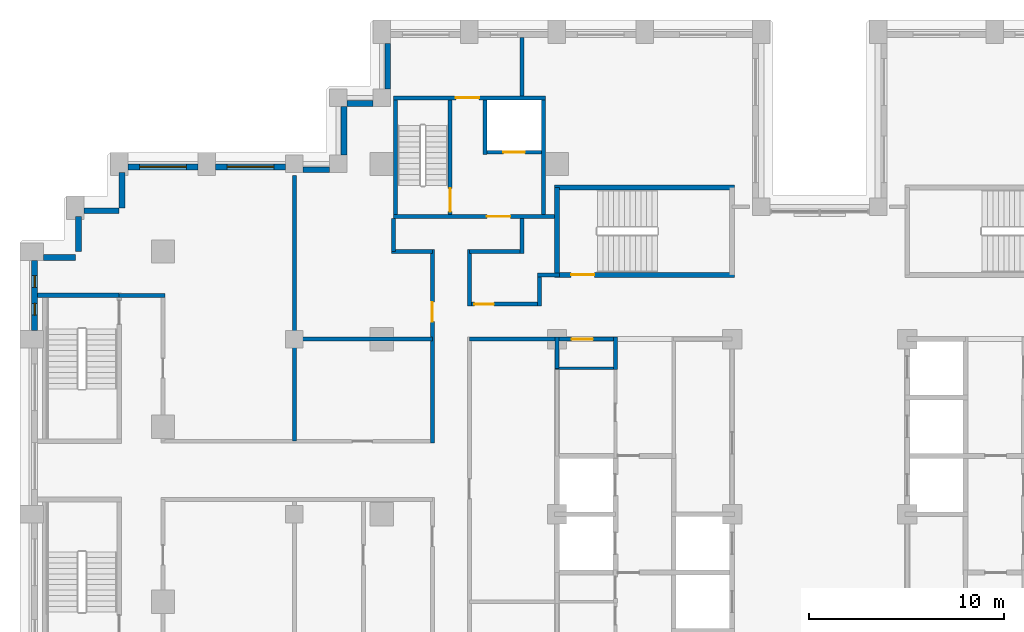
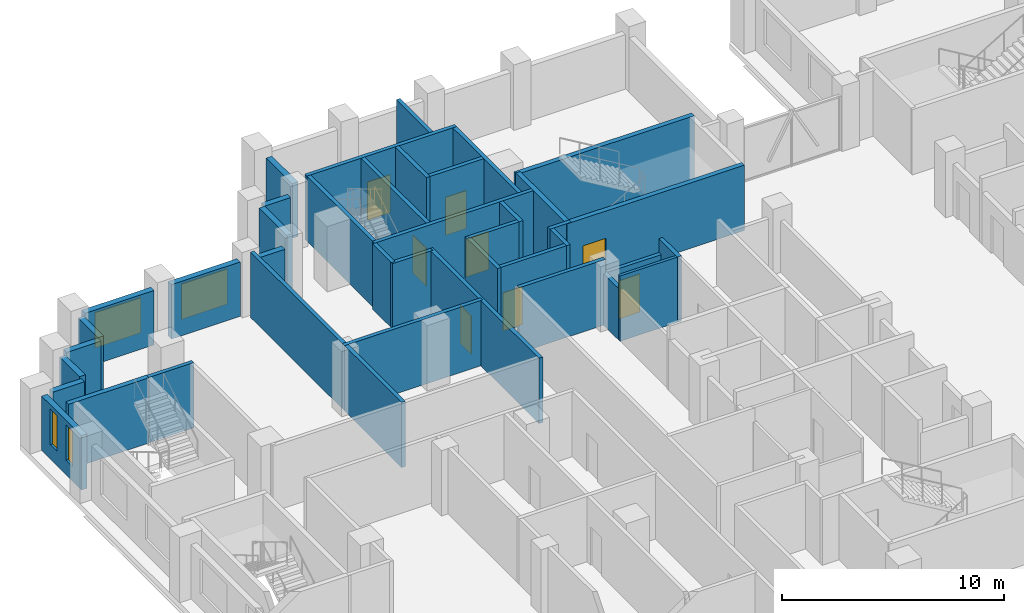
# One storey, part 10 of 16: 40 walls, 8 doors, 4 windows, 12 openings.
"""IFC4 building model written with IfcOpenShell, lengths in metres."""

from ifc_helpers import new_model, si_unit, direction, frame, frame_2d, origin, place, context, subcontext, project, spatial, rectangle, extrude, material, layer, layer_set, type_object, element, fill, save


model = new_model("IFC4")

# Units and contexts
model_context = context("Model", 3, precision=1e-05, world=origin(), true_north=direction((0.0, 1.0)))
body_context = subcontext(model_context, "Body", "Model", "MODEL_VIEW")
ifc_project = project(units=[si_unit("LENGTHUNIT", "METRE"), si_unit("AREAUNIT", "SQUARE_METRE"), si_unit("VOLUMEUNIT", "CUBIC_METRE"), si_unit("PLANEANGLEUNIT", "RADIAN"), si_unit("MASSUNIT", "GRAM", prefix="KILO")], contexts=[model_context])

# Site, building, storey
site_placement = place(None, origin())
site = spatial("IfcSite", under=ifc_project, at=site_placement, CompositionType="ELEMENT")
building_placement = place(site_placement, origin())
building = spatial("IfcBuilding", under=site, at=building_placement, Name="Corbelhall Arena Tower", CompositionType="ELEMENT")
storey_placement = place(building_placement, frame((0.0, 0.0, 116.0)))
storey = spatial("IfcBuildingStorey", under=building, at=storey_placement, Name="L21", CompositionType="ELEMENT", Elevation=116.0)

# Walls
ifc_material_1 = material(Name="Precast concrete C40/50 with granite facing", Category="masonry")
ifc_layer_1 = layer(ifc_material_1, 0.300048828125)
ifc_layer_set_1 = layer_set([ifc_layer_1], Name="EV-IW1 Infill panel 300")
wall_type_1 = type_object("IfcWallType", Name="EV-IW1 Infill panel 300", PredefinedType="SOLIDWALL", material=ifc_layer_set_1)
for number, where, z_axis, x_axis, name in (
    (1, (-35.85009765625, 17.550048828125, 0.0), (0.0, 0.0, 1.0), (0.0, -1.0, 0.0), "Infill panel IW1"),
    (2, (-37.800048828125, 15.60009765625, 0.0), (0.0, 0.0, 1.0), (1.0, 0.0, 0.0), "Infill panel IW1"),
    (3, (-38.10009765625, 15.300048828125, 0.0), (0.0, 0.0, 1.0), (0.0, -1.0, 0.0), "Infill panel IW1"),
):
    element("IfcWall", number, at=place(storey_placement, frame(where, z_axis=z_axis, x_axis=x_axis)), inside=storey, type_object=wall_type_1, Name=name, PredefinedType="SOLIDWALL", context=body_context, shape_type="SweptSolid", body=[
        extrude(rectangle(XDim=1.800048828125, YDim=0.300048828125, at=frame_2d((0.89990234375, 0.0))), origin(), (0.0, 0.0, 1.0), 2.99951171875),
    ])
wall_1_placement = place(storey_placement, frame((-39.89990234375, 13.199951171875, 0.0), z_axis=(0.0, 0.0, 1.0), x_axis=(1.0, 0.0, 0.0)))
element("IfcWall", 4, at=wall_1_placement, inside=storey, type_object=wall_type_1, Name="Infill panel IW1", PredefinedType="SOLIDWALL", context=body_context, shape_type="SweptSolid", body=[
    extrude(rectangle(XDim=1.64990234375, YDim=0.300048828125, at=frame_2d((0.824951171875, 0.0))), origin(), (0.0, 0.0, 1.0), 2.99951171875),
])
wall_2_placement = place(storey_placement, frame((-22.199951171875, 24.199951171875, 0.0), z_axis=(0.0, 0.0, 1.0), x_axis=(0.0, -1.0, 0.0)))
element("IfcWall", 5, at=wall_2_placement, inside=storey, type_object=wall_type_1, Name="Infill panel IW1", PredefinedType="SOLIDWALL", context=body_context, shape_type="SweptSolid", body=[
    extrude(rectangle(XDim=2.349853515625, YDim=0.300048828125, at=frame_2d((1.1748046875, 0.0))), origin(), (0.0, 0.0, 1.0), 2.99951171875),
])
wall_3_placement = place(storey_placement, frame((-22.949951171875, 21.10009765625, 0.0), z_axis=(0.0, 0.0, 1.0), x_axis=(-1.0, 0.0, 0.0)))
element("IfcWall", 6, at=wall_3_placement, inside=storey, type_object=wall_type_1, Name="Infill panel IW1", PredefinedType="SOLIDWALL", context=body_context, shape_type="SweptSolid", body=[
    extrude(rectangle(XDim=1.35009765625, YDim=0.300048828125, at=frame_2d((0.675048828125, 0.0))), origin(), (0.0, 0.0, 1.0), 2.99951171875),
])
wall_4_placement = place(storey_placement, frame((-24.449951171875, 20.949951171875, 0.0), z_axis=(0.0, 0.0, 1.0), x_axis=(0.0, -1.0, 0.0)))
element("IfcWall", 7, at=wall_4_placement, inside=storey, type_object=wall_type_1, Name="Infill panel IW1", PredefinedType="SOLIDWALL", context=body_context, shape_type="SweptSolid", body=[
    extrude(rectangle(XDim=2.5, YDim=0.300048828125, at=frame_2d((1.25, 0.0))), origin(), (0.0, 0.0, 1.0), 2.99951171875),
])
wall_5_placement = place(storey_placement, frame((-25.199951171875, 17.699951171875, 0.0), z_axis=(0.0, 0.0, 1.0), x_axis=(-1.0, 0.0, 0.0)))
element("IfcWall", 8, at=wall_5_placement, inside=storey, type_object=wall_type_1, Name="Infill panel IW1", PredefinedType="SOLIDWALL", context=body_context, shape_type="SweptSolid", body=[
    extrude(rectangle(XDim=1.35009765625, YDim=0.300048828125, at=frame_2d((0.675048828125, 0.0))), origin(), (0.0, 0.0, 1.0), 2.99951171875),
])

# Wall, opening, window
wall_6_placement = place(storey_placement, frame((-27.449951171875, 17.85009765625, 0.0), z_axis=(0.0, 0.0, 1.0), x_axis=(-1.0, 0.0, 0.0)))
wall_6 = element("IfcWall", 9, at=wall_6_placement, inside=storey, type_object=wall_type_1, Name="Infill panel IW1", PredefinedType="SOLIDWALL", context=body_context, shape_type="SweptSolid", body=[
    extrude(rectangle(XDim=3.60009765625, YDim=0.300048828125, at=frame_2d((1.800048828125, 0.0))), origin(), (0.0, 0.0, 1.0), 2.99951171875),
])
opening_1_placement = place(wall_6_placement, frame((0.60009765625, 0.0, 0.800048828125)))
opening_1 = element("IfcOpeningElement", 10, at=opening_1_placement, cuts=wall_6, Name="Opening WN1", PredefinedType="OPENING", context=body_context, shape_type="SweptSolid", body=[
    extrude(rectangle(XDim=2.39990234375, YDim=1.949951171875, at=frame_2d((1.199951171875, 0.97509765625))), frame((0.0, 0.14990234375, 0.0), z_axis=(0.0, -1.0, 0.0), x_axis=(1.0, 0.0, 0.0)), (0.0, 0.0, 1.0), 0.300048828125),
])
ifc_material_2 = material(Name="Aluminium black anodised", Category="aluminium")
window_type_1 = type_object("IfcWindowType", Name="EV-WN1 Office window", PartitioningType="SINGLE_PANEL", PredefinedType="WINDOW", material=ifc_material_2)
window_1_placement = place(opening_1_placement, origin())
window_1 = element("IfcWindow", 11, at=window_1_placement, inside=storey, type_object=window_type_1, Name="Window WN1", OverallHeight=1.949951171875, OverallWidth=2.39990234375, PartitioningType="SINGLE_PANEL", PredefinedType="WINDOW", context=body_context, shape_type="SweptSolid", body=[
    extrude(rectangle(XDim=2.39990234375, YDim=1.949951171875, at=frame_2d((1.199951171875, 0.97509765625))), frame((0.0, 0.030029296875, 0.0), z_axis=(0.0, -1.0, 0.0), x_axis=(1.0, 0.0, 0.0)), (0.0, 0.0, 1.0), 0.06005859375),
])
fill(opening_1, window_1)

wall_7_placement = place(storey_placement, frame((-31.949951171875, 17.85009765625, 0.0), z_axis=(0.0, 0.0, 1.0), x_axis=(-1.0, 0.0, 0.0)))
wall_7 = element("IfcWall", 12, at=wall_7_placement, inside=storey, type_object=wall_type_1, Name="Infill panel IW1", PredefinedType="SOLIDWALL", context=body_context, shape_type="SweptSolid", body=[
    extrude(rectangle(XDim=3.60009765625, YDim=0.300048828125, at=frame_2d((1.800048828125, 0.0))), origin(), (0.0, 0.0, 1.0), 2.99951171875),
])
opening_2_placement = place(wall_7_placement, frame((0.60009765625, 0.0, 0.800048828125)))
opening_2 = element("IfcOpeningElement", 13, at=opening_2_placement, cuts=wall_7, Name="Opening WN1", PredefinedType="OPENING", context=body_context, shape_type="SweptSolid", body=[
    extrude(rectangle(XDim=2.39990234375, YDim=1.949951171875, at=frame_2d((1.199951171875, 0.97509765625))), frame((0.0, 0.14990234375, 0.0), z_axis=(0.0, -1.0, 0.0), x_axis=(1.0, 0.0, 0.0)), (0.0, 0.0, 1.0), 0.300048828125),
])
window_2_placement = place(opening_2_placement, origin())
window_2 = element("IfcWindow", 14, at=window_2_placement, inside=storey, type_object=window_type_1, Name="Window WN1", OverallHeight=1.949951171875, OverallWidth=2.39990234375, PartitioningType="SINGLE_PANEL", PredefinedType="WINDOW", context=body_context, shape_type="SweptSolid", body=[
    extrude(rectangle(XDim=2.39990234375, YDim=1.949951171875, at=frame_2d((1.199951171875, 0.97509765625))), frame((0.0, 0.030029296875, 0.0), z_axis=(0.0, -1.0, 0.0), x_axis=(1.0, 0.0, 0.0)), (0.0, 0.0, 1.0), 0.06005859375),
])
fill(opening_2, window_2)

# Wall, openings, windows
wall_8_placement = place(storey_placement, frame((-40.35009765625, 13.050048828125, 0.0), z_axis=(0.0, 0.0, 1.0), x_axis=(0.0, -1.0, 0.0)))
wall_8 = element("IfcWall", 15, at=wall_8_placement, inside=storey, type_object=wall_type_1, Name="Infill panel IW1", PredefinedType="SOLIDWALL", context=body_context, shape_type="SweptSolid", body=[
    extrude(rectangle(XDim=3.60009765625, YDim=0.300048828125, at=frame_2d((1.800048828125, 0.0))), origin(), (0.0, 0.0, 1.0), 2.99951171875),
])
opening_3_placement = place(wall_8_placement, frame((0.78759765625, 0.0, 0.800048828125)))
opening_3 = element("IfcOpeningElement", 16, at=opening_3_placement, cuts=wall_8, Name="Opening WN5", PredefinedType="OPENING", context=body_context, shape_type="SweptSolid", body=[
    extrude(rectangle(XDim=0.60009765625, YDim=1.949951171875, at=frame_2d((0.300048828125, 0.97509765625))), frame((0.0, 0.14990234375, 0.0), z_axis=(0.0, -1.0, 0.0), x_axis=(1.0, 0.0, 0.0)), (0.0, 0.0, 1.0), 0.300048828125),
])
opening_4_placement = place(wall_8_placement, frame((2.21240234375, 0.0, 0.800048828125)))
opening_4 = element("IfcOpeningElement", 17, at=opening_4_placement, cuts=wall_8, Name="Opening WN5", PredefinedType="OPENING", context=body_context, shape_type="SweptSolid", body=[
    extrude(rectangle(XDim=0.60009765625, YDim=1.949951171875, at=frame_2d((0.300048828125, 0.97509765625))), frame((0.0, 0.14990234375, 0.0), z_axis=(0.0, -1.0, 0.0), x_axis=(1.0, 0.0, 0.0)), (0.0, 0.0, 1.0), 0.300048828125),
])
window_type_2 = type_object("IfcWindowType", Name="EV-WN5 Office window 600", PartitioningType="SINGLE_PANEL", PredefinedType="WINDOW", material=ifc_material_2)
window_3_placement = place(opening_3_placement, origin())
window_3 = element("IfcWindow", 18, at=window_3_placement, inside=storey, type_object=window_type_2, Name="Window WN5", OverallHeight=1.949951171875, OverallWidth=0.60009765625, PartitioningType="SINGLE_PANEL", PredefinedType="WINDOW", context=body_context, shape_type="SweptSolid", body=[
    extrude(rectangle(XDim=0.60009765625, YDim=1.949951171875, at=frame_2d((0.300048828125, 0.97509765625))), frame((0.0, 0.030029296875, 0.0), z_axis=(0.0, -1.0, 0.0), x_axis=(1.0, 0.0, 0.0)), (0.0, 0.0, 1.0), 0.06005859375),
])
fill(opening_3, window_3)
window_4_placement = place(opening_4_placement, origin())
window_4 = element("IfcWindow", 19, at=window_4_placement, inside=storey, type_object=window_type_2, Name="Window WN5", OverallHeight=1.949951171875, OverallWidth=0.60009765625, PartitioningType="SINGLE_PANEL", PredefinedType="WINDOW", context=body_context, shape_type="SweptSolid", body=[
    extrude(rectangle(XDim=0.60009765625, YDim=1.949951171875, at=frame_2d((0.300048828125, 0.97509765625))), frame((0.0, 0.030029296875, 0.0), z_axis=(0.0, -1.0, 0.0), x_axis=(1.0, 0.0, 0.0)), (0.0, 0.0, 1.0), 0.06005859375),
])
fill(opening_4, window_4)

# Walls
ifc_material_3 = material(Name="Gypsum board on steel stud, acoustic", Category="steel")
ifc_layer_2 = layer(ifc_material_3, 0.199951171875)
ifc_layer_set_2 = layer_set([ifc_layer_2], Name="IN-W-DM200")
wall_type_2 = type_object("IfcWallType", Name="IN-W-DM200", PredefinedType="PARTITIONING", material=ifc_layer_set_2)
wall_9_placement = place(storey_placement, frame((-36.0, 11.25, 0.0), z_axis=(0.0, 0.0, 1.0), x_axis=(1.0, 0.0, 0.0)))
element("IfcWall", 20, at=wall_9_placement, inside=storey, type_object=wall_type_2, Name="Partition 001", PredefinedType="PARTITIONING", context=body_context, shape_type="SweptSolid", body=[
    extrude(rectangle(XDim=2.35009765625, YDim=0.199951171875, at=frame_2d((1.175048828125, 0.0))), origin(), (0.0, 0.0, 1.0), 3.599609375),
])
wall_10_placement = place(storey_placement, frame((-27.10009765625, 9.0, 0.0), z_axis=(0.0, 0.0, 1.0), x_axis=(1.0, 0.0, 0.0)))
element("IfcWall", 21, at=wall_10_placement, inside=storey, type_object=wall_type_2, Name="Partition 008", PredefinedType="PARTITIONING", context=body_context, shape_type="SweptSolid", body=[
    extrude(rectangle(XDim=7.2001953125, YDim=0.199951171875, at=frame_2d((3.60009765625, 0.0))), origin(), (0.0, 0.0, 1.0), 3.599609375),
])
wall_11_placement = place(storey_placement, frame((-27.0, 3.75, 0.0), z_axis=(0.0, 0.0, 1.0), x_axis=(0.0, 1.0, 0.0)))
element("IfcWall", 22, at=wall_11_placement, inside=storey, type_object=wall_type_2, Name="Partition 010", PredefinedType="PARTITIONING", context=body_context, shape_type="SweptSolid", body=[
    extrude(rectangle(XDim=13.64990234375, YDim=0.199951171875, at=frame_2d((6.824951171875, 0.0))), origin(), (0.0, 0.0, 1.0), 3.599609375),
])
wall_12_placement = place(storey_placement, frame((-21.89990234375, 13.5, 0.0), z_axis=(0.0, 0.0, 1.0), x_axis=(0.0, 1.0, 0.0)))
element("IfcWall", 23, at=wall_12_placement, inside=storey, type_object=wall_type_2, Name="Partition 013", PredefinedType="PARTITIONING", context=body_context, shape_type="SweptSolid", body=[
    extrude(rectangle(XDim=1.699951171875, YDim=0.199951171875, at=frame_2d((0.85009765625, 0.0))), origin(), (0.0, 0.0, 1.0), 3.599609375),
])

# Wall, opening, door
wall_13_placement = place(storey_placement, frame((-19.89990234375, 3.64990234375, 0.0), z_axis=(0.0, 0.0, 1.0), x_axis=(0.0, 1.0, 0.0)))
wall_13 = element("IfcWall", 24, at=wall_13_placement, inside=storey, type_object=wall_type_2, Name="Partition 015", PredefinedType="PARTITIONING", context=body_context, shape_type="SweptSolid", body=[
    extrude(rectangle(XDim=9.9501953125, YDim=0.199951171875, at=frame_2d((4.97509765625, 0.0))), origin(), (0.0, 0.0, 1.0), 3.599609375),
])
opening_5_placement = place(wall_13_placement, frame((6.25, 0.0, 0.0)))
opening_5 = element("IfcOpeningElement", 25, at=opening_5_placement, cuts=wall_13, Name="Opening 05032", PredefinedType="OPENING", context=body_context, shape_type="SweptSolid", body=[
    extrude(rectangle(XDim=1.0, YDim=2.10009765625, at=frame_2d((0.5, 1.050048828125))), frame((0.0, 0.10009765625, 0.0), z_axis=(0.0, -1.0, 0.0), x_axis=(1.0, 0.0, 0.0)), (0.0, 0.0, 1.0), 0.199951171875),
])
ifc_material_4 = material(Name="Steel door set", Category="steel")
door_type_1 = type_object("IfcDoorType", Name="IN-D-SW100", OperationType="NOTDEFINED", PredefinedType="DOOR", material=ifc_material_4)
door_1_placement = place(opening_5_placement, origin())
door_1 = element("IfcDoor", 26, at=door_1_placement, inside=storey, type_object=door_type_1, Name="Door 032", OperationType="SINGLE_SWING_LEFT", OverallHeight=2.10009765625, OverallWidth=1.0, PredefinedType="DOOR", context=body_context, shape_type="SweptSolid", body=[
    extrude(rectangle(XDim=1.0, YDim=2.10009765625, at=frame_2d((0.5, 1.050048828125))), frame((0.0, 0.02490234375, 0.0), z_axis=(0.0, -1.0, 0.0), x_axis=(1.0, 0.0, 0.0)), (0.0, 0.0, 1.0), 0.050048828125),
])
fill(opening_5, door_1)

# Wall
wall_14_placement = place(storey_placement, frame((-19.89990234375, 13.5, 0.0), z_axis=(0.0, 0.0, 1.0), x_axis=(-1.0, 0.0, 0.0)))
element("IfcWall", 27, at=wall_14_placement, inside=storey, type_object=wall_type_2, Name="Partition 016", PredefinedType="PARTITIONING", context=body_context, shape_type="SweptSolid", body=[
    extrude(rectangle(XDim=2.10009765625, YDim=0.199951171875, at=frame_2d((1.050048828125, 0.0))), origin(), (0.0, 0.0, 1.0), 3.599609375),
])

# Wall, opening, door
wall_15_placement = place(storey_placement, frame((-18.0, 10.800048828125, 0.0), z_axis=(0.0, 0.0, 1.0), x_axis=(1.0, 0.0, 0.0)))
wall_15 = element("IfcWall", 28, at=wall_15_placement, inside=storey, type_object=wall_type_2, Name="Partition 021", PredefinedType="PARTITIONING", context=body_context, shape_type="SweptSolid", body=[
    extrude(rectangle(XDim=3.60009765625, YDim=0.199951171875, at=frame_2d((1.800048828125, 0.0))), origin(), (0.0, 0.0, 1.0), 3.599609375),
])
opening_6_placement = place(wall_15_placement, frame((0.25, 0.0, 0.0)))
opening_6 = element("IfcOpeningElement", 29, at=opening_6_placement, cuts=wall_15, Name="Opening 05027", PredefinedType="OPENING", context=body_context, shape_type="SweptSolid", body=[
    extrude(rectangle(XDim=1.0, YDim=2.10009765625, at=frame_2d((0.5, 1.050048828125))), frame((0.0, 0.10009765625, 0.0), z_axis=(0.0, -1.0, 0.0), x_axis=(1.0, 0.0, 0.0)), (0.0, 0.0, 1.0), 0.199951171875),
])
door_2_placement = place(opening_6_placement, origin())
door_2 = element("IfcDoor", 30, at=door_2_placement, inside=storey, type_object=door_type_1, Name="Door 027", OperationType="SINGLE_SWING_RIGHT", OverallHeight=2.10009765625, OverallWidth=1.0, PredefinedType="DOOR", context=body_context, shape_type="SweptSolid", body=[
    extrude(rectangle(XDim=1.0, YDim=2.10009765625, at=frame_2d((0.5, 1.050048828125))), frame((0.0, 0.02490234375, 0.0), z_axis=(0.0, -1.0, 0.0), x_axis=(1.0, 0.0, 0.0)), (0.0, 0.0, 1.0), 0.050048828125),
])
fill(opening_6, door_2)

# Walls
wall_16_placement = place(storey_placement, frame((-18.0, 13.60009765625, 0.0), z_axis=(0.0, 0.0, 1.0), x_axis=(0.0, -1.0, 0.0)))
element("IfcWall", 31, at=wall_16_placement, inside=storey, type_object=wall_type_2, Name="Partition 022", PredefinedType="PARTITIONING", context=body_context, shape_type="SweptSolid", body=[
    extrude(rectangle(XDim=2.900146484375, YDim=0.199951171875, at=frame_2d((1.4501953125, 0.0))), origin(), (0.0, 0.0, 1.0), 3.599609375),
])
wall_17_placement = place(storey_placement, frame((-15.300048828125, 13.5, 0.0), z_axis=(0.0, 0.0, 1.0), x_axis=(-1.0, 0.0, 0.0)))
element("IfcWall", 32, at=wall_17_placement, inside=storey, type_object=wall_type_2, Name="Partition 023", PredefinedType="PARTITIONING", context=body_context, shape_type="SweptSolid", body=[
    extrude(rectangle(XDim=2.699951171875, YDim=0.199951171875, at=frame_2d((1.35009765625, 0.0))), origin(), (0.0, 0.0, 1.0), 3.599609375),
])
wall_18_placement = place(storey_placement, frame((-15.300048828125, 15.199951171875, 0.0), z_axis=(0.0, 0.0, 1.0), x_axis=(0.0, -1.0, 0.0)))
element("IfcWall", 33, at=wall_18_placement, inside=storey, type_object=wall_type_2, Name="Partition 024", PredefinedType="PARTITIONING", context=body_context, shape_type="SweptSolid", body=[
    extrude(rectangle(XDim=1.800048828125, YDim=0.199951171875, at=frame_2d((0.89990234375, 0.0))), origin(), (0.0, 0.0, 1.0), 3.599609375),
])
wall_19_placement = place(storey_placement, frame((-15.300048828125, 24.5, 0.0), z_axis=(0.0, 0.0, 1.0), x_axis=(0.0, -1.0, 0.0)))
element("IfcWall", 34, at=wall_19_placement, inside=storey, type_object=wall_type_2, Name="Partition 025", PredefinedType="PARTITIONING", context=body_context, shape_type="SweptSolid", body=[
    extrude(rectangle(XDim=3.0, YDim=0.199951171875, at=frame_2d((1.5, 0.0))), origin(), (0.0, 0.0, 1.0), 3.599609375),
])
wall_20_placement = place(storey_placement, frame((-14.5, 12.300048828125, 0.0), z_axis=(0.0, 0.0, 1.0), x_axis=(1.0, 0.0, 0.0)))
element("IfcWall", 35, at=wall_20_placement, inside=storey, type_object=wall_type_2, Name="Partition 026", PredefinedType="PARTITIONING", context=body_context, shape_type="SweptSolid", body=[
    extrude(rectangle(XDim=1.125, YDim=0.199951171875, at=frame_2d((0.5625, 0.0))), origin(), (0.0, 0.0, 1.0), 3.599609375),
])
wall_21_placement = place(storey_placement, frame((-13.5, 9.0, 0.0), z_axis=(0.0, 0.0, 1.0), x_axis=(-1.0, 0.0, 0.0)))
element("IfcWall", 36, at=wall_21_placement, inside=storey, type_object=wall_type_2, Name="Partition 029", PredefinedType="PARTITIONING", context=body_context, shape_type="SweptSolid", body=[
    extrude(rectangle(XDim=4.5, YDim=0.199951171875, at=frame_2d((2.25, 0.0))), origin(), (0.0, 0.0, 1.0), 3.599609375),
])
wall_22_placement = place(storey_placement, frame((-14.39990234375, 10.699951171875, 0.0), z_axis=(0.0, 0.0, 1.0), x_axis=(0.0, 1.0, 0.0)))
element("IfcWall", 37, at=wall_22_placement, inside=storey, type_object=wall_type_2, Name="Partition 030", PredefinedType="PARTITIONING", context=body_context, shape_type="SweptSolid", body=[
    extrude(rectangle(XDim=1.60009765625, YDim=0.199951171875, at=frame_2d((0.800048828125, 0.0))), origin(), (0.0, 0.0, 1.0), 3.599609375),
])

# Wall, opening, door
ifc_material_5 = material(Name="Concrete C40/50", Category="concrete")
ifc_layer_3 = layer(ifc_material_5, 0.199951171875)
ifc_layer_set_3 = layer_set([ifc_layer_3], Name="IN-W-EAR200")
wall_type_3 = type_object("IfcWallType", Name="IN-W-EAR200", PredefinedType="SOLIDWALL", material=ifc_layer_set_3)
wall_23_placement = place(storey_placement, frame((-21.89990234375, 15.300048828125, 0.0), z_axis=(0.0, 0.0, 1.0), x_axis=(1.0, 0.0, 0.0)))
wall_23 = element("IfcWall", 38, at=wall_23_placement, inside=storey, type_object=wall_type_3, Name="Fire service turret wall south", PredefinedType="SOLIDWALL", context=body_context, shape_type="SweptSolid", body=[
    extrude(rectangle(XDim=8.27490234375, YDim=0.199951171875, at=frame_2d((4.137451171875, 0.0))), origin(), (0.0, 0.0, 1.0), 3.599609375),
])
opening_7_placement = place(wall_23_placement, frame((4.800048828125, 0.0, 0.0)))
opening_7 = element("IfcOpeningElement", 39, at=opening_7_placement, cuts=wall_23, Name="Opening E052", PredefinedType="OPENING", context=body_context, shape_type="SweptSolid", body=[
    extrude(rectangle(XDim=1.199951171875, YDim=2.10009765625, at=frame_2d((0.60009765625, 1.050048828125))), frame((0.0, 0.10009765625, 0.0), z_axis=(0.0, -1.0, 0.0), x_axis=(1.0, 0.0, 0.0)), (0.0, 0.0, 1.0), 0.199951171875),
])
door_type_2 = type_object("IfcDoorType", Name="IN-D-ST120", OperationType="NOTDEFINED", PredefinedType="DOOR", material=ifc_material_4)
door_3_placement = place(opening_7_placement, origin())
door_3 = element("IfcDoor", 40, at=door_3_placement, inside=storey, type_object=door_type_2, Name="Door from fire service lift lobby to circulation", OperationType="SINGLE_SWING_RIGHT", OverallHeight=2.10009765625, OverallWidth=1.199951171875, PredefinedType="DOOR", context=body_context, shape_type="SweptSolid", body=[
    extrude(rectangle(XDim=1.199951171875, YDim=2.10009765625, at=frame_2d((0.60009765625, 1.050048828125))), frame((0.0, 0.02490234375, 0.0), z_axis=(0.0, -1.0, 0.0), x_axis=(1.0, 0.0, 0.0)), (0.0, 0.0, 1.0), 0.050048828125),
])
fill(opening_7, door_3)

wall_24_placement = place(storey_placement, frame((-21.89990234375, 21.39990234375, 0.0), z_axis=(0.0, 0.0, 1.0), x_axis=(1.0, 0.0, 0.0)))
wall_24 = element("IfcWall", 41, at=wall_24_placement, inside=storey, type_object=wall_type_3, Name="Fire service turret wall north", PredefinedType="SOLIDWALL", context=body_context, shape_type="SweptSolid", body=[
    extrude(rectangle(XDim=7.7998046875, YDim=0.199951171875, at=frame_2d((3.89990234375, 0.0))), origin(), (0.0, 0.0, 1.0), 3.599609375),
])
opening_8_placement = place(wall_24_placement, frame((3.199951171875, 0.0, 0.0)))
opening_8 = element("IfcOpeningElement", 42, at=opening_8_placement, cuts=wall_24, Name="Opening E053", PredefinedType="OPENING", context=body_context, shape_type="SweptSolid", body=[
    extrude(rectangle(XDim=1.199951171875, YDim=2.10009765625, at=frame_2d((0.60009765625, 1.050048828125))), frame((0.0, 0.10009765625, 0.0), z_axis=(0.0, -1.0, 0.0), x_axis=(1.0, 0.0, 0.0)), (0.0, 0.0, 1.0), 0.199951171875),
])
door_4_placement = place(opening_8_placement, origin())
door_4 = element("IfcDoor", 43, at=door_4_placement, inside=storey, type_object=door_type_2, Name="Door from fire service lift lobby to the north gallery", OperationType="SINGLE_SWING_LEFT", OverallHeight=2.10009765625, OverallWidth=1.199951171875, PredefinedType="DOOR", context=body_context, shape_type="SweptSolid", body=[
    extrude(rectangle(XDim=1.199951171875, YDim=2.10009765625, at=frame_2d((0.60009765625, 1.050048828125))), frame((0.0, 0.02490234375, 0.0), z_axis=(0.0, -1.0, 0.0), x_axis=(1.0, 0.0, 0.0)), (0.0, 0.0, 1.0), 0.050048828125),
])
fill(opening_8, door_4)

# Walls
for number, where, z_axis, x_axis, name in (
    (44, (-21.800048828125, 15.39990234375, 0.0), (0.0, 0.0, 1.0), (0.0, 1.0, 0.0), "Fire service turret wall west"),
    (45, (-14.199951171875, 15.39990234375, 0.0), (0.0, 0.0, 1.0), (0.0, 1.0, 0.0), "Fire service turret wall east"),
):
    element("IfcWall", number, at=place(storey_placement, frame(where, z_axis=z_axis, x_axis=x_axis)), inside=storey, type_object=wall_type_3, Name=name, PredefinedType="SOLIDWALL", context=body_context, shape_type="SweptSolid", body=[
        extrude(rectangle(XDim=5.900146484375, YDim=0.199951171875, at=frame_2d((2.9501953125, 0.0))), origin(), (0.0, 0.0, 1.0), 3.599609375),
    ])

# Wall, opening, door
wall_25_placement = place(storey_placement, frame((-18.989990234375, 15.39990234375, 0.0), z_axis=(0.0, 0.0, 1.0), x_axis=(0.0, 1.0, 0.0)))
wall_25 = element("IfcWall", 46, at=wall_25_placement, inside=storey, type_object=wall_type_3, Name="Fire service turret wall stair", PredefinedType="SOLIDWALL", context=body_context, shape_type="SweptSolid", body=[
    extrude(rectangle(XDim=5.900146484375, YDim=0.199951171875, at=frame_2d((2.9501953125, 0.0))), origin(), (0.0, 0.0, 1.0), 3.599609375),
])
opening_9_placement = place(wall_25_placement, frame((0.14990234375, 0.0, 0.0)))
opening_9 = element("IfcOpeningElement", 47, at=opening_9_placement, cuts=wall_25, Name="Opening E051", PredefinedType="OPENING", context=body_context, shape_type="SweptSolid", body=[
    extrude(rectangle(XDim=1.199951171875, YDim=2.10009765625, at=frame_2d((0.60009765625, 1.050048828125))), frame((0.0, 0.10009765625, 0.0), z_axis=(0.0, -1.0, 0.0), x_axis=(1.0, 0.0, 0.0)), (0.0, 0.0, 1.0), 0.199951171875),
])
door_5_placement = place(opening_9_placement, origin())
door_5 = element("IfcDoor", 48, at=door_5_placement, inside=storey, type_object=door_type_2, Name="Stair door to fire service lobby", OperationType="SINGLE_SWING_LEFT", OverallHeight=2.10009765625, OverallWidth=1.199951171875, PredefinedType="DOOR", context=body_context, shape_type="SweptSolid", body=[
    extrude(rectangle(XDim=1.199951171875, YDim=2.10009765625, at=frame_2d((0.60009765625, 1.050048828125))), frame((0.0, 0.02490234375, 0.0), z_axis=(0.0, -1.0, 0.0), x_axis=(1.0, 0.0, 0.0)), (0.0, 0.0, 1.0), 0.050048828125),
])
fill(opening_9, door_5)

# Wall
wall_26_placement = place(storey_placement, frame((-17.199951171875, 18.5, 0.0), z_axis=(0.0, 0.0, 1.0), x_axis=(0.0, 1.0, 0.0)))
element("IfcWall", 49, at=wall_26_placement, inside=storey, type_object=wall_type_3, Name="Fire service turret wall hoistway west", PredefinedType="SOLIDWALL", context=body_context, shape_type="SweptSolid", body=[
    extrude(rectangle(XDim=2.800048828125, YDim=0.199951171875, at=frame_2d((1.39990234375, 0.0))), origin(), (0.0, 0.0, 1.0), 3.599609375),
])

# Wall, opening, door
wall_27_placement = place(storey_placement, frame((-17.10009765625, 18.60009765625, 0.0), z_axis=(0.0, 0.0, 1.0), x_axis=(1.0, 0.0, 0.0)))
wall_27 = element("IfcWall", 50, at=wall_27_placement, inside=storey, type_object=wall_type_3, Name="Fire service turret wall hoistway south", PredefinedType="SOLIDWALL", context=body_context, shape_type="SweptSolid", body=[
    extrude(rectangle(XDim=2.800048828125, YDim=0.199951171875, at=frame_2d((1.39990234375, 0.0))), origin(), (0.0, 0.0, 1.0), 3.599609375),
])
opening_10_placement = place(wall_27_placement, frame((0.85009765625, 0.0, 0.0)))
opening_10 = element("IfcOpeningElement", 51, at=opening_10_placement, cuts=wall_27, Name="Opening LD", PredefinedType="OPENING", context=body_context, shape_type="SweptSolid", body=[
    extrude(rectangle(XDim=1.10009765625, YDim=2.10009765625, at=frame_2d((0.550048828125, 1.050048828125))), frame((0.0, 0.10009765625, 0.0), z_axis=(0.0, -1.0, 0.0), x_axis=(1.0, 0.0, 0.0)), (0.0, 0.0, 1.0), 0.199951171875),
])
door_type_3 = type_object("IfcDoorType", Name="IN-D-LD110", OperationType="NOTDEFINED", PredefinedType="DOOR", material=ifc_material_4)
door_6_placement = place(opening_10_placement, origin())
door_6 = element("IfcDoor", 52, at=door_6_placement, inside=storey, type_object=door_type_3, Name="Landing door FS1", OperationType="SLIDING_TO_LEFT", OverallHeight=2.10009765625, OverallWidth=1.10009765625, PredefinedType="DOOR", context=body_context, shape_type="SweptSolid", body=[
    extrude(rectangle(XDim=1.10009765625, YDim=2.10009765625, at=frame_2d((0.550048828125, 1.050048828125))), frame((0.0, 0.02490234375, 0.0), z_axis=(0.0, -1.0, 0.0), x_axis=(1.0, 0.0, 0.0)), (0.0, 0.0, 1.0), 0.050048828125),
])
fill(opening_10, door_6)

# Wall
ifc_material_6 = material(Name="Concrete block wall", Category="concrete")
ifc_layer_4 = layer(ifc_material_6, 0.199951171875)
ifc_layer_set_4 = layer_set([ifc_layer_4], Name="IN-W-RS200")
wall_type_4 = type_object("IfcWallType", Name="IN-W-RS200", PredefinedType="SOLIDWALL", material=ifc_layer_set_4)
wall_28_placement = place(storey_placement, frame((-10.5, 7.425048828125, 0.0), z_axis=(0.0, 0.0, 1.0), x_axis=(0.0, 1.0, 0.0)))
element("IfcWall", 53, at=wall_28_placement, inside=storey, type_object=wall_type_4, Name="Partition 068", PredefinedType="SOLIDWALL", context=body_context, shape_type="SweptSolid", body=[
    extrude(rectangle(XDim=1.675048828125, YDim=0.199951171875, at=frame_2d((0.83740234375, 0.0))), origin(), (0.0, 0.0, 1.0), 3.599609375),
])

# Wall, opening, door
ifc_layer_5 = layer(ifc_material_6, 0.199951171875)
ifc_layer_set_5 = layer_set([ifc_layer_5], Name="IN-W-RS200 under beam 762 mm")
wall_type_5 = type_object("IfcWallType", Name="IN-W-RS200 under beam 762 mm", PredefinedType="SOLIDWALL", material=ifc_layer_set_5)
wall_29_placement = place(storey_placement, frame((-13.60009765625, 9.0, 0.0), z_axis=(0.0, 0.0, 1.0), x_axis=(1.0, 0.0, 0.0)))
wall_29 = element("IfcWall", 54, at=wall_29_placement, inside=storey, type_object=wall_type_5, Name="Partition 064", PredefinedType="SOLIDWALL", context=body_context, shape_type="SweptSolid", body=[
    extrude(rectangle(XDim=3.10009765625, YDim=0.199951171875, at=frame_2d((1.550048828125, 0.0))), origin(), (0.0, 0.0, 1.0), 2.837646484375),
])
opening_11_placement = place(wall_29_placement, frame((0.85009765625, 0.0, 0.0)))
opening_11 = element("IfcOpeningElement", 55, at=opening_11_placement, cuts=wall_29, Name="Opening 05007", PredefinedType="OPENING", context=body_context, shape_type="SweptSolid", body=[
    extrude(rectangle(XDim=1.10009765625, YDim=2.10009765625, at=frame_2d((0.550048828125, 1.050048828125))), frame((0.0, 0.10009765625, 0.0), z_axis=(0.0, -1.0, 0.0), x_axis=(1.0, 0.0, 0.0)), (0.0, 0.0, 1.0), 0.199951171875),
])
door_type_4 = type_object("IfcDoorType", Name="IN-D-FD110", OperationType="NOTDEFINED", PredefinedType="DOOR", material=ifc_material_4)
door_7_placement = place(opening_11_placement, origin())
door_7 = element("IfcDoor", 56, at=door_7_placement, inside=storey, type_object=door_type_4, Name="Door 007", OperationType="SINGLE_SWING_RIGHT", OverallHeight=2.10009765625, OverallWidth=1.10009765625, PredefinedType="DOOR", context=body_context, shape_type="SweptSolid", body=[
    extrude(rectangle(XDim=1.10009765625, YDim=2.10009765625, at=frame_2d((0.550048828125, 1.050048828125))), frame((0.0, 0.02490234375, 0.0), z_axis=(0.0, -1.0, 0.0), x_axis=(1.0, 0.0, 0.0)), (0.0, 0.0, 1.0), 0.050048828125),
])
fill(opening_11, door_7)

# Walls
wall_30_placement = place(storey_placement, frame((-13.5, 7.5, 0.0), z_axis=(0.0, 0.0, 1.0), x_axis=(0.0, 1.0, 0.0)))
element("IfcWall", 57, at=wall_30_placement, inside=storey, type_object=wall_type_5, Name="Partition 066", PredefinedType="SOLIDWALL", context=body_context, shape_type="SweptSolid", body=[
    extrude(rectangle(XDim=1.60009765625, YDim=0.199951171875, at=frame_2d((0.800048828125, 0.0))), origin(), (0.0, 0.0, 1.0), 2.837646484375),
])
ifc_layer_6 = layer(ifc_material_5, 0.25)
ifc_layer_set_6 = layer_set([ifc_layer_6], Name="IN-W-ST250")
wall_type_6 = type_object("IfcWallType", Name="IN-W-ST250", PredefinedType="SOLIDWALL", material=ifc_layer_set_6)
wall_31_placement = place(storey_placement, frame((-40.199951171875, 11.25, 0.0), z_axis=(0.0, 0.0, 1.0), x_axis=(1.0, 0.0, 0.0)))
element("IfcWall", 58, at=wall_31_placement, inside=storey, type_object=wall_type_6, Name="Shaft wall 102", PredefinedType="SOLIDWALL", context=body_context, shape_type="SweptSolid", body=[
    extrude(rectangle(XDim=4.199951171875, YDim=0.25, at=frame_2d((2.10009765625, 0.0))), origin(), (0.0, 0.0, 1.0), 3.599609375),
])

# Wall, opening, door
wall_32_placement = place(storey_placement, frame((-13.625, 12.300048828125, 0.0), z_axis=(0.0, 0.0, 1.0), x_axis=(1.0, 0.0, 0.0)))
wall_32 = element("IfcWall", 59, at=wall_32_placement, inside=storey, type_object=wall_type_6, Name="Shaft wall 107", PredefinedType="SOLIDWALL", context=body_context, shape_type="SweptSolid", body=[
    extrude(rectangle(XDim=9.25, YDim=0.25, at=frame_2d((4.625, 0.0))), origin(), (0.0, 0.0, 1.0), 3.599609375),
])
opening_12_placement = place(wall_32_placement, frame((0.85009765625, 0.0, 0.0)))
opening_12 = element("IfcOpeningElement", 60, at=opening_12_placement, cuts=wall_32, Name="Opening 05014", PredefinedType="OPENING", context=body_context, shape_type="SweptSolid", body=[
    extrude(rectangle(XDim=1.199951171875, YDim=2.10009765625, at=frame_2d((0.60009765625, 1.050048828125))), frame((0.0, 0.125, 0.0), z_axis=(0.0, -1.0, 0.0), x_axis=(1.0, 0.0, 0.0)), (0.0, 0.0, 1.0), 0.25),
])
door_8_placement = place(opening_12_placement, origin())
door_8 = element("IfcDoor", 61, at=door_8_placement, inside=storey, type_object=door_type_2, Name="Door 014", OperationType="SINGLE_SWING_LEFT", OverallHeight=2.10009765625, OverallWidth=1.199951171875, PredefinedType="DOOR", context=body_context, shape_type="SweptSolid", body=[
    extrude(rectangle(XDim=1.199951171875, YDim=2.10009765625, at=frame_2d((0.60009765625, 1.050048828125))), frame((0.0, 0.02490234375, 0.0), z_axis=(0.0, -1.0, 0.0), x_axis=(1.0, 0.0, 0.0)), (0.0, 0.0, 1.0), 0.050048828125),
])
fill(opening_12, door_8)

# Walls
wall_33_placement = place(storey_placement, frame((-13.625, 16.800048828125, 0.0), z_axis=(0.0, 0.0, 1.0), x_axis=(1.0, 0.0, 0.0)))
element("IfcWall", 62, at=wall_33_placement, inside=storey, type_object=wall_type_6, Name="Shaft wall 108", PredefinedType="SOLIDWALL", context=body_context, shape_type="SweptSolid", body=[
    extrude(rectangle(XDim=9.25, YDim=0.25, at=frame_2d((4.625, 0.0))), origin(), (0.0, 0.0, 1.0), 3.599609375),
])
wall_34_placement = place(storey_placement, frame((-13.5, 12.300048828125, 0.0), z_axis=(0.0, 0.0, 1.0), x_axis=(0.0, 1.0, 0.0)))
element("IfcWall", 63, at=wall_34_placement, inside=storey, type_object=wall_type_6, Name="Shaft wall 110", PredefinedType="SOLIDWALL", context=body_context, shape_type="SweptSolid", body=[
    extrude(rectangle(XDim=4.5, YDim=0.25, at=frame_2d((2.25, 0.0))), origin(), (0.0, 0.0, 1.0), 3.599609375),
])
ifc_material_7 = material(Name="Gypsum board on steel stud, moisture resistant", Category="steel")
ifc_layer_7 = layer(ifc_material_7, 0.14990234375)
ifc_layer_set_7 = layer_set([ifc_layer_7], Name="IN-W-WC150")
wall_type_7 = type_object("IfcWallType", Name="IN-W-WC150", PredefinedType="PARTITIONING", material=ifc_layer_set_7)
wall_35_placement = place(storey_placement, frame((-13.60009765625, 7.5, 0.0), z_axis=(0.0, 0.0, 1.0), x_axis=(1.0, 0.0, 0.0)))
element("IfcWall", 64, at=wall_35_placement, inside=storey, type_object=wall_type_7, Name="Partition 130", PredefinedType="PARTITIONING", context=body_context, shape_type="SweptSolid", body=[
    extrude(rectangle(XDim=3.10009765625, YDim=0.14990234375, at=frame_2d((1.550048828125, 0.0))), origin(), (0.0, 0.0, 1.0), 3.599609375),
])

save(model, "model.ifc")
